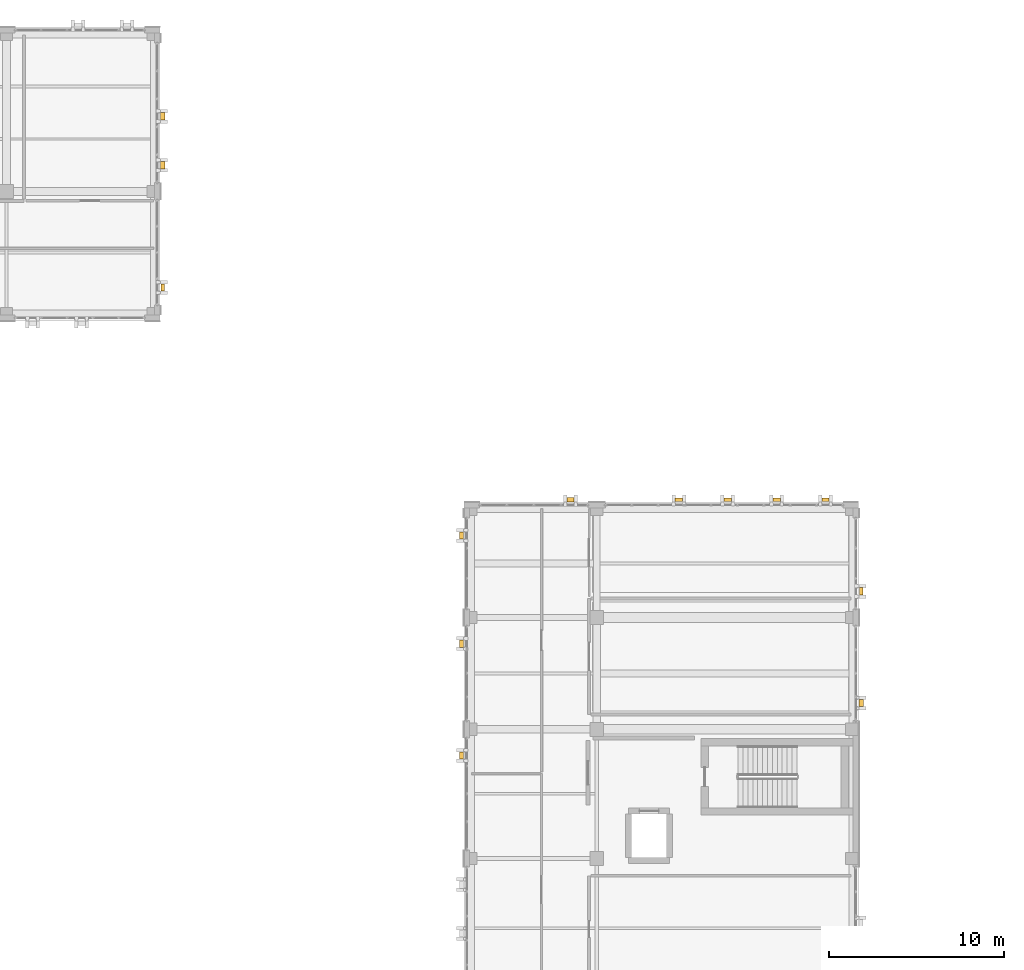
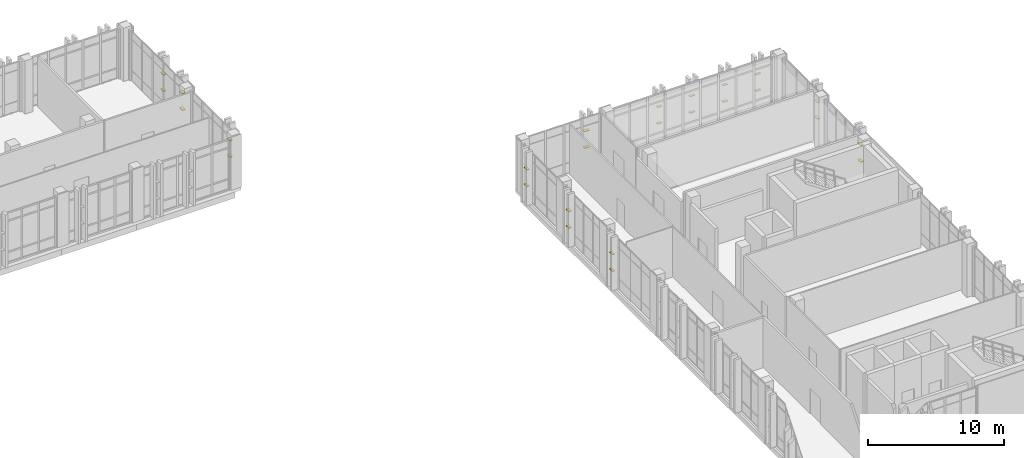
# One storey, part 188 of 189: 26 shading devices.
"""IFC4 building model written with IfcOpenShell, lengths in metres."""

from ifc_helpers import new_model, si_unit, direction, frame, origin, origin_2d, place, context, subcontext, project, spatial, rectangle, extrude, material, type_object, element, save


model = new_model("IFC4")

# Units and contexts
model_context = context("Model", 3, precision=1e-05, world=origin(), true_north=direction((0.0, 1.0)))
body_context = subcontext(model_context, "Body", "Model", "MODEL_VIEW")
ifc_project = project(units=[si_unit("LENGTHUNIT", "METRE"), si_unit("AREAUNIT", "SQUARE_METRE"), si_unit("VOLUMEUNIT", "CUBIC_METRE"), si_unit("PLANEANGLEUNIT", "RADIAN"), si_unit("MASSUNIT", "GRAM", prefix="KILO")], contexts=[model_context])

# Site, building, storey
site_placement = place(None, origin())
site = spatial("IfcSite", under=ifc_project, at=site_placement, CompositionType="ELEMENT")
building_placement = place(site_placement, origin())
building = spatial("IfcBuilding", under=site, at=building_placement, Name="Qalavern Law Courts", CompositionType="ELEMENT")
storey_placement = place(building_placement, frame((0.0, 0.0, 5.39990234375)))
storey = spatial("IfcBuildingStorey", under=building, at=storey_placement, Name="L01", CompositionType="ELEMENT", Elevation=5.39990234375)

# Shading devices
ifc_material = material(Name="Anodised aluminium", Category="aluminium")
shading_device_type_1 = type_object("IfcShadingDeviceType", Name="ENV-LOUV-1", PredefinedType="JALOUSIE", material=ifc_material)
for number, where, z_axis, x_axis, name in (
    (1, (106.947509765625, 80.699951171875, 1.548583984375), (0.0, 0.0, 1.0), (0.0, 1.0, 0.0), "Horizontal sun louvre V4-L01-0-1"),
    (2, (106.947509765625, 80.699951171875, 3.036865234375), (0.0, 0.0, 1.0), (0.0, 1.0, 0.0), "Horizontal sun louvre V4-L01-0-2"),
    (3, (104.89990234375, 85.947509765625, 1.548583984375), (0.0, 0.0, 1.0), (-1.0, 0.0, 0.0), "Horizontal sun louvre V4-L01-0-1"),
    (4, (104.89990234375, 85.947509765625, 3.036865234375), (0.0, 0.0, 1.0), (-1.0, 0.0, 0.0), "Horizontal sun louvre V4-L01-0-2"),
    (5, (102.10009765625, 85.947509765625, 1.548583984375), (0.0, 0.0, 1.0), (-1.0, 0.0, 0.0), "Horizontal sun louvre V4-L01-1-1"),
    (6, (102.10009765625, 85.947509765625, 3.036865234375), (0.0, 0.0, 1.0), (-1.0, 0.0, 0.0), "Horizontal sun louvre V4-L01-1-2"),
    (7, (99.300048828125, 85.947509765625, 1.548583984375), (0.0, 0.0, 1.0), (-1.0, 0.0, 0.0), "Horizontal sun louvre V4-L01-2-1"),
    (8, (99.300048828125, 85.947509765625, 3.036865234375), (0.0, 0.0, 1.0), (-1.0, 0.0, 0.0), "Horizontal sun louvre V4-L01-2-2"),
    (9, (96.5, 85.947509765625, 1.548583984375), (0.0, 0.0, 1.0), (-1.0, 0.0, 0.0), "Horizontal sun louvre V4-L01-3-1"),
    (10, (96.5, 85.947509765625, 3.036865234375), (0.0, 0.0, 1.0), (-1.0, 0.0, 0.0), "Horizontal sun louvre V4-L01-3-2"),
    (11, (84.052490234375, 83.89990234375, 1.548583984375), (0.0, 0.0, 1.0), (0.0, -1.0, 0.0), "Horizontal sun louvre V4-L01-0-1"),
    (12, (84.052490234375, 83.89990234375, 3.036865234375), (0.0, 0.0, 1.0), (0.0, -1.0, 0.0), "Horizontal sun louvre V4-L01-0-2"),
    (13, (84.052490234375, 71.300048828125, 1.548583984375), (0.0, 0.0, 1.0), (0.0, -1.0, 0.0), "Horizontal sun louvre V4-L01-0-1"),
    (14, (84.052490234375, 71.300048828125, 3.036865234375), (0.0, 0.0, 1.0), (0.0, -1.0, 0.0), "Horizontal sun louvre V4-L01-0-2"),
    (15, (66.947509765625, 98.10009765625, 1.548583984375), (0.0, 0.0, 1.0), (0.0, 1.0, 0.0), "Horizontal sun louvre V5-L01-0-1"),
    (16, (66.947509765625, 98.10009765625, 3.036865234375), (0.0, 0.0, 1.0), (0.0, 1.0, 0.0), "Horizontal sun louvre V5-L01-0-2"),
):
    element("IfcShadingDevice", number, at=place(storey_placement, frame(where, z_axis=z_axis, x_axis=x_axis)), inside=storey, type_object=shading_device_type_1, Name=name, PredefinedType="JALOUSIE", context=body_context, shape_type="SweptSolid", body=[
        extrude(rectangle(XDim=0.419921875, YDim=0.2099609375, at=origin_2d()), origin(), (0.0, 0.0, 1.0), 0.06005859375),
    ])
shading_device_type_2 = type_object("IfcShadingDeviceType", Name="ENV-LOUV-2", PredefinedType="JALOUSIE", material=ifc_material)
for number, where, z_axis, x_axis, name in (
    (17, (106.947509765625, 74.300048828125, 1.548583984375), (0.0, 0.0, 1.0), (0.0, 1.0, 0.0), "Horizontal sun louvre V4-L01-0-1"),
    (18, (106.947509765625, 74.300048828125, 3.036865234375), (0.0, 0.0, 1.0), (0.0, 1.0, 0.0), "Horizontal sun louvre V4-L01-0-2"),
    (19, (90.300048828125, 85.947509765625, 1.548583984375), (0.0, 0.0, 1.0), (-1.0, 0.0, 0.0), "Horizontal sun louvre V4-L01-0-1"),
    (20, (90.300048828125, 85.947509765625, 3.036865234375), (0.0, 0.0, 1.0), (-1.0, 0.0, 0.0), "Horizontal sun louvre V4-L01-0-2"),
    (21, (84.052490234375, 77.699951171875, 1.548583984375), (0.0, 0.0, 1.0), (0.0, -1.0, 0.0), "Horizontal sun louvre V4-L01-0-1"),
    (22, (84.052490234375, 77.699951171875, 3.036865234375), (0.0, 0.0, 1.0), (0.0, -1.0, 0.0), "Horizontal sun louvre V4-L01-0-2"),
    (23, (66.947509765625, 105.10009765625, 1.548583984375), (0.0, 0.0, 1.0), (0.0, 1.0, 0.0), "Horizontal sun louvre V5-L01-0-1"),
    (24, (66.947509765625, 105.10009765625, 3.036865234375), (0.0, 0.0, 1.0), (0.0, 1.0, 0.0), "Horizontal sun louvre V5-L01-0-2"),
    (25, (66.947509765625, 107.89990234375, 1.548583984375), (0.0, 0.0, 1.0), (0.0, 1.0, 0.0), "Horizontal sun louvre V5-L01-1-1"),
    (26, (66.947509765625, 107.89990234375, 3.036865234375), (0.0, 0.0, 1.0), (0.0, 1.0, 0.0), "Horizontal sun louvre V5-L01-1-2"),
):
    element("IfcShadingDevice", number, at=place(storey_placement, frame(where, z_axis=z_axis, x_axis=x_axis)), inside=storey, type_object=shading_device_type_2, Name=name, PredefinedType="JALOUSIE", context=body_context, shape_type="SweptSolid", body=[
        extrude(rectangle(XDim=0.419921875, YDim=0.25, at=origin_2d()), origin(), (0.0, 0.0, 1.0), 0.06005859375),
    ])

save(model, "model.ifc")
